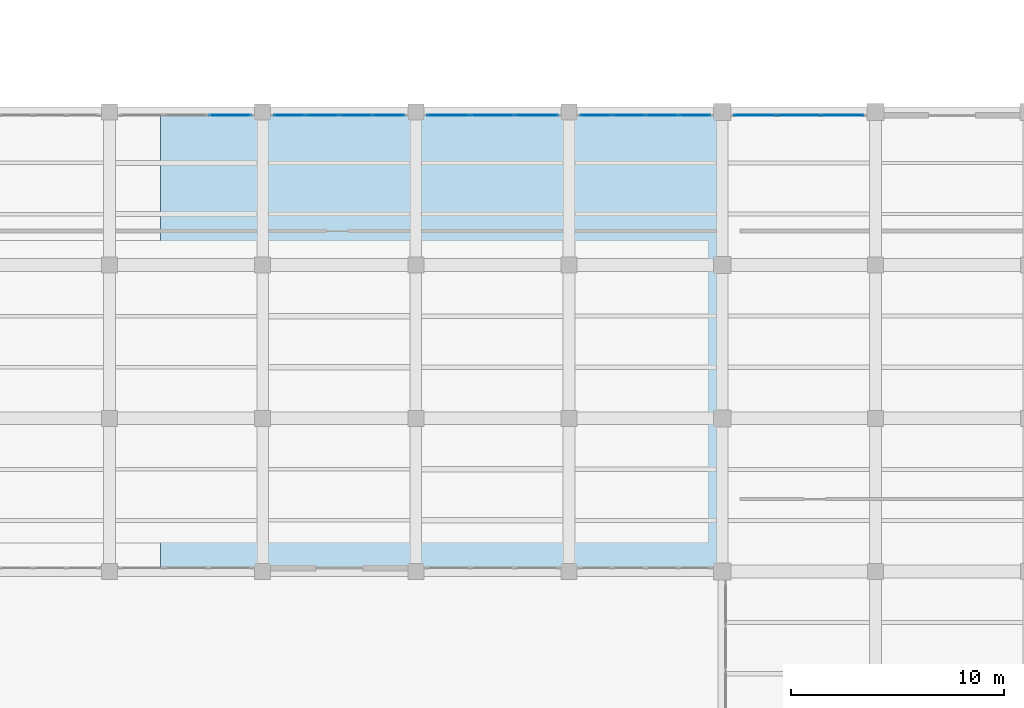
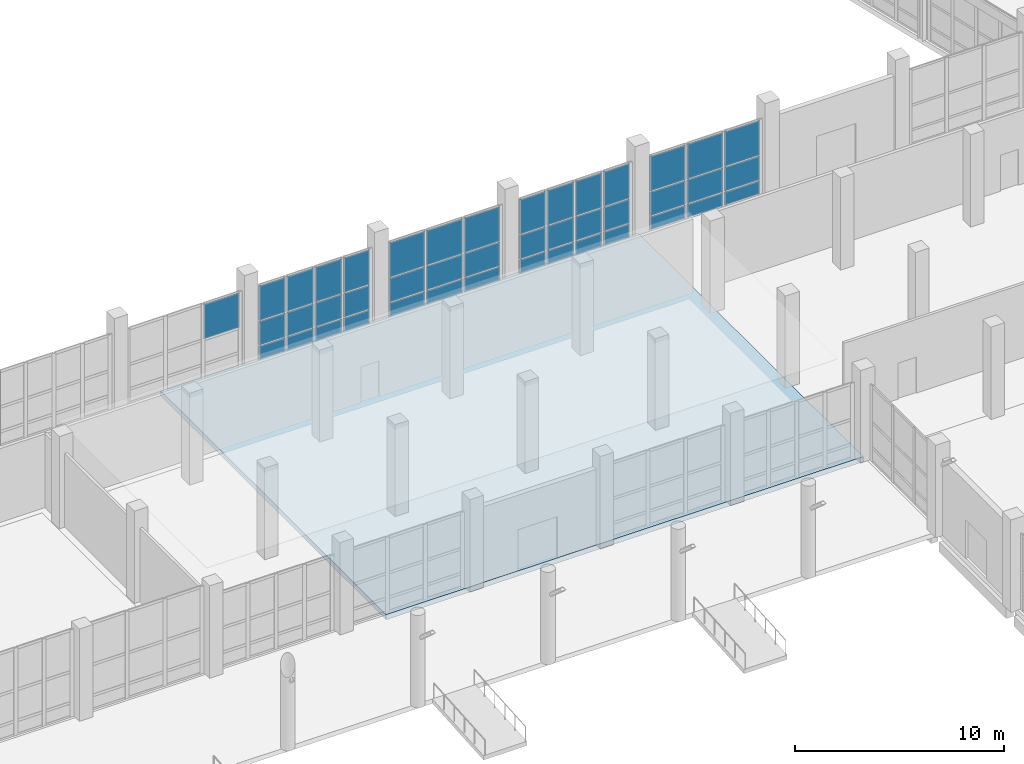
# One storey, part 89 of 137: 43 plates, 1 slab, 5 elements without a shape of their own.
"""IFC4 building model written with IfcOpenShell, lengths in metres."""

from ifc_helpers import new_model, si_unit, direction, frame, origin, origin_2d, place, context, subcontext, project, spatial, polyline, rectangle, outline, extrude, material, layer, layer_set, type_object, element, aggregate, save


model = new_model("IFC4")

# Units and contexts
model_context = context("Model", 3, precision=1e-05, world=origin(), true_north=direction((0.0, 1.0)))
body_context = subcontext(model_context, "Body", "Model", "MODEL_VIEW")
ifc_project = project(units=[si_unit("LENGTHUNIT", "METRE"), si_unit("AREAUNIT", "SQUARE_METRE"), si_unit("VOLUMEUNIT", "CUBIC_METRE"), si_unit("PLANEANGLEUNIT", "RADIAN"), si_unit("MASSUNIT", "GRAM", prefix="KILO")], contexts=[model_context])

# Site, building, storey
site_placement = place(None, origin())
site = spatial("IfcSite", under=ifc_project, at=site_placement, CompositionType="ELEMENT")
building_placement = place(site_placement, origin())
building = spatial("IfcBuilding", under=site, at=building_placement, Name="Kalmorath City Hall", CompositionType="ELEMENT")
storey_placement = place(building_placement, origin())
storey = spatial("IfcBuildingStorey", under=building, at=storey_placement, Name="L00", CompositionType="ELEMENT", Elevation=0.0)

# Slab
ifc_material_1 = material(Name="Concrete C40/50", Category="concrete")
ifc_layer_1 = layer(ifc_material_1, 0.300048828125)
ifc_layer_set_1 = layer_set([ifc_layer_1], Name="Concrete C40/50")
slab_type = type_object("IfcSlabType", Name="Concrete ground floor slab 300", PredefinedType="FLOOR", material=ifc_layer_set_1)
slab_placement = place(storey_placement, frame((0.0, 0.0, -0.300048828125)))
element("IfcSlab", 1, at=slab_placement, inside=storey, type_object=slab_type, Name="L00 Public Hall and Citizens Service Centre Pavilion slab FS1-3", PredefinedType="FLOOR", context=body_context, shape_type="SweptSolid", body=[
    extrude(outline(polyline([(115.199951171875, 43.199951171875), (115.199951171875, 21.60009765625), (88.800048828125, 21.60009765625), (88.800048828125, 43.199951171875), (115.199951171875, 43.199951171875)])), origin(), (0.0, 0.0, 1.0), 0.300048828125),
])

# Curtain wall, plate
ifc_material_2 = material(Name="Anodised aluminium and laminated glass", Category="aluminium")
curtain_wall_type_1 = type_object("IfcCurtainWallType", Name="Unitised hurricane curtain wall 6270x4411 M2100", PredefinedType="NOTDEFINED", material=ifc_material_2)
curtain_wall_1_placement = place(storey_placement, origin())
curtain_wall_1 = element("IfcCurtainWall", 2, at=curtain_wall_1_placement, inside=storey, type_object=curtain_wall_type_1, Name="L00 curtain wall CW-63X44M21 #35", PredefinedType="NOTDEFINED")
ifc_material_3 = material(Name="Hurricane laminated low-E glass", Category="glass")
ifc_layer_2 = layer(ifc_material_3, 0.0400390625)
ifc_layer_set_2 = layer_set([ifc_layer_2], Name="Hurricane laminated low-E glass")
plate_type = type_object("IfcPlateType", Name="Public hall laminated glass panel 40", PredefinedType="CURTAIN_PANEL", material=ifc_layer_set_2)
plate_1_placement = place(storey_placement, frame((92.0712890625, 43.0400390625, 2.326416015625), z_axis=(0.0, 0.0, 1.0), x_axis=(1.0, 0.0, 0.0)))
plate_1 = element("IfcPlate", 3, at=plate_1_placement, type_object=plate_type, Name="CW-63X44M21 panel 3.3", PredefinedType="CURTAIN_PANEL", context=body_context, shape_type="SweptSolid", body=[
    extrude(rectangle(XDim=1.9775390625, YDim=0.0400390625, at=origin_2d()), origin(), (0.0, 0.0, 1.0), 2.01953125),
])
aggregate(curtain_wall_1, [plate_1])

# Curtain wall, plates
ifc_material_4 = material(Name="Anodised aluminium and laminated glass", Category="aluminium")
curtain_wall_type_2 = type_object("IfcCurtainWallType", Name="Unitised hurricane curtain wall 6270x4411 M1500", PredefinedType="NOTDEFINED", material=ifc_material_4)
curtain_wall_2_placement = place(storey_placement, origin())
curtain_wall_2 = element("IfcCurtainWall", 4, at=curtain_wall_2_placement, inside=storey, type_object=curtain_wall_type_2, Name="L00 curtain wall CW-63X44M15 #36", PredefinedType="NOTDEFINED")
plate_2_placement = place(storey_placement, frame((94.867431640625, 43.0400390625, 0.06494140625), z_axis=(0.0, 0.0, 1.0), x_axis=(1.0, 0.0, 0.0)))
plate_2 = element("IfcPlate", 5, at=plate_2_placement, type_object=plate_type, Name="CW-63X44M15 panel 1.1", PredefinedType="CURTAIN_PANEL", context=body_context, shape_type="SweptSolid", body=[
    extrude(rectangle(XDim=1.455078125, YDim=0.0400390625, at=origin_2d()), origin(), (0.0, 0.0, 1.0), 0.75244140625),
])
plate_3_placement = place(storey_placement, frame((94.867431640625, 43.0400390625, 0.882568359375), z_axis=(0.0, 0.0, 1.0), x_axis=(1.0, 0.0, 0.0)))
plate_3 = element("IfcPlate", 6, at=plate_3_placement, type_object=plate_type, Name="CW-63X44M15 panel 1.2", PredefinedType="CURTAIN_PANEL", context=body_context, shape_type="SweptSolid", body=[
    extrude(rectangle(XDim=1.455078125, YDim=0.0400390625, at=origin_2d()), origin(), (0.0, 0.0, 1.0), 1.37890625),
])
plate_4_placement = place(storey_placement, frame((94.867431640625, 43.0400390625, 2.326416015625), z_axis=(0.0, 0.0, 1.0), x_axis=(1.0, 0.0, 0.0)))
plate_4 = element("IfcPlate", 7, at=plate_4_placement, type_object=plate_type, Name="CW-63X44M15 panel 1.3", PredefinedType="CURTAIN_PANEL", context=body_context, shape_type="SweptSolid", body=[
    extrude(rectangle(XDim=1.455078125, YDim=0.0400390625, at=origin_2d()), origin(), (0.0, 0.0, 1.0), 2.01953125),
])
plate_5_placement = place(storey_placement, frame((96.416259765625, 43.0400390625, 0.06494140625), z_axis=(0.0, 0.0, 1.0), x_axis=(1.0, 0.0, 0.0)))
plate_5 = element("IfcPlate", 8, at=plate_5_placement, type_object=plate_type, Name="CW-63X44M15 panel 2.1", PredefinedType="CURTAIN_PANEL", context=body_context, shape_type="SweptSolid", body=[
    extrude(rectangle(XDim=1.492431640625, YDim=0.0400390625, at=origin_2d()), origin(), (0.0, 0.0, 1.0), 0.75244140625),
])
plate_6_placement = place(storey_placement, frame((96.416259765625, 43.0400390625, 0.882568359375), z_axis=(0.0, 0.0, 1.0), x_axis=(1.0, 0.0, 0.0)))
plate_6 = element("IfcPlate", 9, at=plate_6_placement, type_object=plate_type, Name="CW-63X44M15 panel 2.2", PredefinedType="CURTAIN_PANEL", context=body_context, shape_type="SweptSolid", body=[
    extrude(rectangle(XDim=1.492431640625, YDim=0.0400390625, at=origin_2d()), origin(), (0.0, 0.0, 1.0), 1.37890625),
])
plate_7_placement = place(storey_placement, frame((96.416259765625, 43.0400390625, 2.326416015625), z_axis=(0.0, 0.0, 1.0), x_axis=(1.0, 0.0, 0.0)))
plate_7 = element("IfcPlate", 10, at=plate_7_placement, type_object=plate_type, Name="CW-63X44M15 panel 2.3", PredefinedType="CURTAIN_PANEL", context=body_context, shape_type="SweptSolid", body=[
    extrude(rectangle(XDim=1.492431640625, YDim=0.0400390625, at=origin_2d()), origin(), (0.0, 0.0, 1.0), 2.01953125),
])
plate_8_placement = place(storey_placement, frame((97.983642578125, 43.0400390625, 0.06494140625), z_axis=(0.0, 0.0, 1.0), x_axis=(1.0, 0.0, 0.0)))
plate_8 = element("IfcPlate", 11, at=plate_8_placement, type_object=plate_type, Name="CW-63X44M15 panel 3.1", PredefinedType="CURTAIN_PANEL", context=body_context, shape_type="SweptSolid", body=[
    extrude(rectangle(XDim=1.492431640625, YDim=0.0400390625, at=origin_2d()), origin(), (0.0, 0.0, 1.0), 0.75244140625),
])
plate_9_placement = place(storey_placement, frame((97.983642578125, 43.0400390625, 0.882568359375), z_axis=(0.0, 0.0, 1.0), x_axis=(1.0, 0.0, 0.0)))
plate_9 = element("IfcPlate", 12, at=plate_9_placement, type_object=plate_type, Name="CW-63X44M15 panel 3.2", PredefinedType="CURTAIN_PANEL", context=body_context, shape_type="SweptSolid", body=[
    extrude(rectangle(XDim=1.492431640625, YDim=0.0400390625, at=origin_2d()), origin(), (0.0, 0.0, 1.0), 1.37890625),
])
plate_10_placement = place(storey_placement, frame((97.983642578125, 43.0400390625, 2.326416015625), z_axis=(0.0, 0.0, 1.0), x_axis=(1.0, 0.0, 0.0)))
plate_10 = element("IfcPlate", 13, at=plate_10_placement, type_object=plate_type, Name="CW-63X44M15 panel 3.3", PredefinedType="CURTAIN_PANEL", context=body_context, shape_type="SweptSolid", body=[
    extrude(rectangle(XDim=1.492431640625, YDim=0.0400390625, at=origin_2d()), origin(), (0.0, 0.0, 1.0), 2.01953125),
])
plate_11_placement = place(storey_placement, frame((99.532470703125, 43.0400390625, 0.06494140625), z_axis=(0.0, 0.0, 1.0), x_axis=(1.0, 0.0, 0.0)))
plate_11 = element("IfcPlate", 14, at=plate_11_placement, type_object=plate_type, Name="CW-63X44M15 panel 4.1", PredefinedType="CURTAIN_PANEL", context=body_context, shape_type="SweptSolid", body=[
    extrude(rectangle(XDim=1.455078125, YDim=0.0400390625, at=origin_2d()), origin(), (0.0, 0.0, 1.0), 0.75244140625),
])
plate_12_placement = place(storey_placement, frame((99.532470703125, 43.0400390625, 0.882568359375), z_axis=(0.0, 0.0, 1.0), x_axis=(1.0, 0.0, 0.0)))
plate_12 = element("IfcPlate", 15, at=plate_12_placement, type_object=plate_type, Name="CW-63X44M15 panel 4.2", PredefinedType="CURTAIN_PANEL", context=body_context, shape_type="SweptSolid", body=[
    extrude(rectangle(XDim=1.455078125, YDim=0.0400390625, at=origin_2d()), origin(), (0.0, 0.0, 1.0), 1.37890625),
])
plate_13_placement = place(storey_placement, frame((99.532470703125, 43.0400390625, 2.326416015625), z_axis=(0.0, 0.0, 1.0), x_axis=(1.0, 0.0, 0.0)))
plate_13 = element("IfcPlate", 16, at=plate_13_placement, type_object=plate_type, Name="CW-63X44M15 panel 4.3", PredefinedType="CURTAIN_PANEL", context=body_context, shape_type="SweptSolid", body=[
    extrude(rectangle(XDim=1.455078125, YDim=0.0400390625, at=origin_2d()), origin(), (0.0, 0.0, 1.0), 2.01953125),
])
aggregate(curtain_wall_2, [plate_2, plate_3, plate_4, plate_5, plate_6, plate_7, plate_8, plate_9, plate_10, plate_11, plate_12, plate_13])

ifc_material_5 = material(Name="Anodised aluminium and laminated glass", Category="aluminium")
curtain_wall_type_3 = type_object("IfcCurtainWallType", Name="Unitised hurricane curtain wall 6270x4411 M1800", PredefinedType="NOTDEFINED", material=ifc_material_5)
curtain_wall_3_placement = place(storey_placement, origin())
curtain_wall_3 = element("IfcCurtainWall", 17, at=curtain_wall_3_placement, inside=storey, type_object=curtain_wall_type_3, Name="L00 curtain wall CW-63X44M18 #37", PredefinedType="NOTDEFINED")
plate_14_placement = place(storey_placement, frame((102.328857421875, 43.0400390625, 0.06494140625), z_axis=(0.0, 0.0, 1.0), x_axis=(1.0, 0.0, 0.0)))
plate_14 = element("IfcPlate", 18, at=plate_14_placement, type_object=plate_type, Name="CW-63X44M18 panel 1.1", PredefinedType="CURTAIN_PANEL", context=body_context, shape_type="SweptSolid", body=[
    extrude(rectangle(XDim=1.9775390625, YDim=0.0400390625, at=origin_2d()), origin(), (0.0, 0.0, 1.0), 0.75244140625),
])
plate_15_placement = place(storey_placement, frame((102.328857421875, 43.0400390625, 0.882568359375), z_axis=(0.0, 0.0, 1.0), x_axis=(1.0, 0.0, 0.0)))
plate_15 = element("IfcPlate", 19, at=plate_15_placement, type_object=plate_type, Name="CW-63X44M18 panel 1.2", PredefinedType="CURTAIN_PANEL", context=body_context, shape_type="SweptSolid", body=[
    extrude(rectangle(XDim=1.9775390625, YDim=0.0400390625, at=origin_2d()), origin(), (0.0, 0.0, 1.0), 1.37890625),
])
plate_16_placement = place(storey_placement, frame((102.328857421875, 43.0400390625, 2.326416015625), z_axis=(0.0, 0.0, 1.0), x_axis=(1.0, 0.0, 0.0)))
plate_16 = element("IfcPlate", 20, at=plate_16_placement, type_object=plate_type, Name="CW-63X44M18 panel 1.3", PredefinedType="CURTAIN_PANEL", context=body_context, shape_type="SweptSolid", body=[
    extrude(rectangle(XDim=1.9775390625, YDim=0.0400390625, at=origin_2d()), origin(), (0.0, 0.0, 1.0), 2.01953125),
])
plate_17_placement = place(storey_placement, frame((104.39990234375, 43.0400390625, 0.06494140625), z_axis=(0.0, 0.0, 1.0), x_axis=(1.0, 0.0, 0.0)))
plate_17 = element("IfcPlate", 21, at=plate_17_placement, type_object=plate_type, Name="CW-63X44M18 panel 2.1", PredefinedType="CURTAIN_PANEL", context=body_context, shape_type="SweptSolid", body=[
    extrude(rectangle(XDim=2.014892578125, YDim=0.0400390625, at=origin_2d()), origin(), (0.0, 0.0, 1.0), 0.75244140625),
])
plate_18_placement = place(storey_placement, frame((104.39990234375, 43.0400390625, 0.882568359375), z_axis=(0.0, 0.0, 1.0), x_axis=(1.0, 0.0, 0.0)))
plate_18 = element("IfcPlate", 22, at=plate_18_placement, type_object=plate_type, Name="CW-63X44M18 panel 2.2", PredefinedType="CURTAIN_PANEL", context=body_context, shape_type="SweptSolid", body=[
    extrude(rectangle(XDim=2.014892578125, YDim=0.0400390625, at=origin_2d()), origin(), (0.0, 0.0, 1.0), 1.37890625),
])
plate_19_placement = place(storey_placement, frame((104.39990234375, 43.0400390625, 2.326416015625), z_axis=(0.0, 0.0, 1.0), x_axis=(1.0, 0.0, 0.0)))
plate_19 = element("IfcPlate", 23, at=plate_19_placement, type_object=plate_type, Name="CW-63X44M18 panel 2.3", PredefinedType="CURTAIN_PANEL", context=body_context, shape_type="SweptSolid", body=[
    extrude(rectangle(XDim=2.014892578125, YDim=0.0400390625, at=origin_2d()), origin(), (0.0, 0.0, 1.0), 2.01953125),
])
plate_20_placement = place(storey_placement, frame((106.47119140625, 43.0400390625, 0.06494140625), z_axis=(0.0, 0.0, 1.0), x_axis=(1.0, 0.0, 0.0)))
plate_20 = element("IfcPlate", 24, at=plate_20_placement, type_object=plate_type, Name="CW-63X44M18 panel 3.1", PredefinedType="CURTAIN_PANEL", context=body_context, shape_type="SweptSolid", body=[
    extrude(rectangle(XDim=1.9775390625, YDim=0.0400390625, at=origin_2d()), origin(), (0.0, 0.0, 1.0), 0.75244140625),
])
plate_21_placement = place(storey_placement, frame((106.47119140625, 43.0400390625, 0.882568359375), z_axis=(0.0, 0.0, 1.0), x_axis=(1.0, 0.0, 0.0)))
plate_21 = element("IfcPlate", 25, at=plate_21_placement, type_object=plate_type, Name="CW-63X44M18 panel 3.2", PredefinedType="CURTAIN_PANEL", context=body_context, shape_type="SweptSolid", body=[
    extrude(rectangle(XDim=1.9775390625, YDim=0.0400390625, at=origin_2d()), origin(), (0.0, 0.0, 1.0), 1.37890625),
])
plate_22_placement = place(storey_placement, frame((106.47119140625, 43.0400390625, 2.326416015625), z_axis=(0.0, 0.0, 1.0), x_axis=(1.0, 0.0, 0.0)))
plate_22 = element("IfcPlate", 26, at=plate_22_placement, type_object=plate_type, Name="CW-63X44M18 panel 3.3", PredefinedType="CURTAIN_PANEL", context=body_context, shape_type="SweptSolid", body=[
    extrude(rectangle(XDim=1.9775390625, YDim=0.0400390625, at=origin_2d()), origin(), (0.0, 0.0, 1.0), 2.01953125),
])
aggregate(curtain_wall_3, [plate_14, plate_15, plate_16, plate_17, plate_18, plate_19, plate_20, plate_21, plate_22])

ifc_material_6 = material(Name="Anodised aluminium and laminated glass", Category="aluminium")
curtain_wall_type_4 = type_object("IfcCurtainWallType", Name="Unitised hurricane curtain wall 6245x4411 M1500", PredefinedType="NOTDEFINED", material=ifc_material_6)
curtain_wall_4_placement = place(storey_placement, origin())
curtain_wall_4 = element("IfcCurtainWall", 27, at=curtain_wall_4_placement, inside=storey, type_object=curtain_wall_type_4, Name="L00 curtain wall CW-62X44M15 #38", PredefinedType="NOTDEFINED")
plate_23_placement = place(storey_placement, frame((109.264404296875, 43.0400390625, 0.06494140625), z_axis=(0.0, 0.0, 1.0), x_axis=(1.0, 0.0, 0.0)))
plate_23 = element("IfcPlate", 28, at=plate_23_placement, type_object=plate_type, Name="CW-62X44M15 panel 1.1", PredefinedType="CURTAIN_PANEL", context=body_context, shape_type="SweptSolid", body=[
    extrude(rectangle(XDim=1.44873046875, YDim=0.0400390625, at=origin_2d()), origin(), (0.0, 0.0, 1.0), 0.75244140625),
])
plate_24_placement = place(storey_placement, frame((109.264404296875, 43.0400390625, 0.882568359375), z_axis=(0.0, 0.0, 1.0), x_axis=(1.0, 0.0, 0.0)))
plate_24 = element("IfcPlate", 29, at=plate_24_placement, type_object=plate_type, Name="CW-62X44M15 panel 1.2", PredefinedType="CURTAIN_PANEL", context=body_context, shape_type="SweptSolid", body=[
    extrude(rectangle(XDim=1.44873046875, YDim=0.0400390625, at=origin_2d()), origin(), (0.0, 0.0, 1.0), 1.37890625),
])
plate_25_placement = place(storey_placement, frame((109.264404296875, 43.0400390625, 2.326416015625), z_axis=(0.0, 0.0, 1.0), x_axis=(1.0, 0.0, 0.0)))
plate_25 = element("IfcPlate", 30, at=plate_25_placement, type_object=plate_type, Name="CW-62X44M15 panel 1.3", PredefinedType="CURTAIN_PANEL", context=body_context, shape_type="SweptSolid", body=[
    extrude(rectangle(XDim=1.44873046875, YDim=0.0400390625, at=origin_2d()), origin(), (0.0, 0.0, 1.0), 2.01953125),
])
plate_26_placement = place(storey_placement, frame((110.806884765625, 43.0400390625, 0.06494140625), z_axis=(0.0, 0.0, 1.0), x_axis=(1.0, 0.0, 0.0)))
plate_26 = element("IfcPlate", 31, at=plate_26_placement, type_object=plate_type, Name="CW-62X44M15 panel 2.1", PredefinedType="CURTAIN_PANEL", context=body_context, shape_type="SweptSolid", body=[
    extrude(rectangle(XDim=1.486328125, YDim=0.0400390625, at=origin_2d()), origin(), (0.0, 0.0, 1.0), 0.75244140625),
])
plate_27_placement = place(storey_placement, frame((110.806884765625, 43.0400390625, 0.882568359375), z_axis=(0.0, 0.0, 1.0), x_axis=(1.0, 0.0, 0.0)))
plate_27 = element("IfcPlate", 32, at=plate_27_placement, type_object=plate_type, Name="CW-62X44M15 panel 2.2", PredefinedType="CURTAIN_PANEL", context=body_context, shape_type="SweptSolid", body=[
    extrude(rectangle(XDim=1.486328125, YDim=0.0400390625, at=origin_2d()), origin(), (0.0, 0.0, 1.0), 1.37890625),
])
plate_28_placement = place(storey_placement, frame((110.806884765625, 43.0400390625, 2.326416015625), z_axis=(0.0, 0.0, 1.0), x_axis=(1.0, 0.0, 0.0)))
plate_28 = element("IfcPlate", 33, at=plate_28_placement, type_object=plate_type, Name="CW-62X44M15 panel 2.3", PredefinedType="CURTAIN_PANEL", context=body_context, shape_type="SweptSolid", body=[
    extrude(rectangle(XDim=1.486328125, YDim=0.0400390625, at=origin_2d()), origin(), (0.0, 0.0, 1.0), 2.01953125),
])
plate_29_placement = place(storey_placement, frame((112.3681640625, 43.0400390625, 0.06494140625), z_axis=(0.0, 0.0, 1.0), x_axis=(1.0, 0.0, 0.0)))
plate_29 = element("IfcPlate", 34, at=plate_29_placement, type_object=plate_type, Name="CW-62X44M15 panel 3.1", PredefinedType="CURTAIN_PANEL", context=body_context, shape_type="SweptSolid", body=[
    extrude(rectangle(XDim=1.486328125, YDim=0.0400390625, at=origin_2d()), origin(), (0.0, 0.0, 1.0), 0.75244140625),
])
plate_30_placement = place(storey_placement, frame((112.3681640625, 43.0400390625, 0.882568359375), z_axis=(0.0, 0.0, 1.0), x_axis=(1.0, 0.0, 0.0)))
plate_30 = element("IfcPlate", 35, at=plate_30_placement, type_object=plate_type, Name="CW-62X44M15 panel 3.2", PredefinedType="CURTAIN_PANEL", context=body_context, shape_type="SweptSolid", body=[
    extrude(rectangle(XDim=1.486328125, YDim=0.0400390625, at=origin_2d()), origin(), (0.0, 0.0, 1.0), 1.37890625),
])
plate_31_placement = place(storey_placement, frame((112.3681640625, 43.0400390625, 2.326416015625), z_axis=(0.0, 0.0, 1.0), x_axis=(1.0, 0.0, 0.0)))
plate_31 = element("IfcPlate", 36, at=plate_31_placement, type_object=plate_type, Name="CW-62X44M15 panel 3.3", PredefinedType="CURTAIN_PANEL", context=body_context, shape_type="SweptSolid", body=[
    extrude(rectangle(XDim=1.486328125, YDim=0.0400390625, at=origin_2d()), origin(), (0.0, 0.0, 1.0), 2.01953125),
])
plate_32_placement = place(storey_placement, frame((113.91064453125, 43.0400390625, 0.06494140625), z_axis=(0.0, 0.0, 1.0), x_axis=(1.0, 0.0, 0.0)))
plate_32 = element("IfcPlate", 37, at=plate_32_placement, type_object=plate_type, Name="CW-62X44M15 panel 4.1", PredefinedType="CURTAIN_PANEL", context=body_context, shape_type="SweptSolid", body=[
    extrude(rectangle(XDim=1.44873046875, YDim=0.0400390625, at=origin_2d()), origin(), (0.0, 0.0, 1.0), 0.75244140625),
])
plate_33_placement = place(storey_placement, frame((113.91064453125, 43.0400390625, 0.882568359375), z_axis=(0.0, 0.0, 1.0), x_axis=(1.0, 0.0, 0.0)))
plate_33 = element("IfcPlate", 38, at=plate_33_placement, type_object=plate_type, Name="CW-62X44M15 panel 4.2", PredefinedType="CURTAIN_PANEL", context=body_context, shape_type="SweptSolid", body=[
    extrude(rectangle(XDim=1.44873046875, YDim=0.0400390625, at=origin_2d()), origin(), (0.0, 0.0, 1.0), 1.37890625),
])
plate_34_placement = place(storey_placement, frame((113.91064453125, 43.0400390625, 2.326416015625), z_axis=(0.0, 0.0, 1.0), x_axis=(1.0, 0.0, 0.0)))
plate_34 = element("IfcPlate", 39, at=plate_34_placement, type_object=plate_type, Name="CW-62X44M15 panel 4.3", PredefinedType="CURTAIN_PANEL", context=body_context, shape_type="SweptSolid", body=[
    extrude(rectangle(XDim=1.44873046875, YDim=0.0400390625, at=origin_2d()), origin(), (0.0, 0.0, 1.0), 2.01953125),
])
aggregate(curtain_wall_4, [plate_23, plate_24, plate_25, plate_26, plate_27, plate_28, plate_29, plate_30, plate_31, plate_32, plate_33, plate_34])

ifc_material_7 = material(Name="Anodised aluminium and laminated glass", Category="aluminium")
curtain_wall_type_5 = type_object("IfcCurtainWallType", Name="Unitised hurricane curtain wall 6220x4411 M1800", PredefinedType="NOTDEFINED", material=ifc_material_7)
curtain_wall_5_placement = place(storey_placement, origin())
curtain_wall_5 = element("IfcCurtainWall", 40, at=curtain_wall_5_placement, inside=storey, type_object=curtain_wall_type_5, Name="L00 curtain wall CW-62X44M18 #39", PredefinedType="NOTDEFINED")
plate_35_placement = place(storey_placement, frame((116.745361328125, 43.0400390625, 0.06494140625), z_axis=(0.0, 0.0, 1.0), x_axis=(1.0, 0.0, 0.0)))
plate_35 = element("IfcPlate", 41, at=plate_35_placement, type_object=plate_type, Name="CW-62X44M18 panel 1.1", PredefinedType="CURTAIN_PANEL", context=body_context, shape_type="SweptSolid", body=[
    extrude(rectangle(XDim=1.9609375, YDim=0.0400390625, at=origin_2d()), origin(), (0.0, 0.0, 1.0), 0.75244140625),
])
plate_36_placement = place(storey_placement, frame((116.745361328125, 43.0400390625, 0.882568359375), z_axis=(0.0, 0.0, 1.0), x_axis=(1.0, 0.0, 0.0)))
plate_36 = element("IfcPlate", 42, at=plate_36_placement, type_object=plate_type, Name="CW-62X44M18 panel 1.2", PredefinedType="CURTAIN_PANEL", context=body_context, shape_type="SweptSolid", body=[
    extrude(rectangle(XDim=1.9609375, YDim=0.0400390625, at=origin_2d()), origin(), (0.0, 0.0, 1.0), 1.37890625),
])
plate_37_placement = place(storey_placement, frame((116.745361328125, 43.0400390625, 2.326416015625), z_axis=(0.0, 0.0, 1.0), x_axis=(1.0, 0.0, 0.0)))
plate_37 = element("IfcPlate", 43, at=plate_37_placement, type_object=plate_type, Name="CW-62X44M18 panel 1.3", PredefinedType="CURTAIN_PANEL", context=body_context, shape_type="SweptSolid", body=[
    extrude(rectangle(XDim=1.9609375, YDim=0.0400390625, at=origin_2d()), origin(), (0.0, 0.0, 1.0), 2.01953125),
])
plate_38_placement = place(storey_placement, frame((118.800048828125, 43.0400390625, 0.06494140625), z_axis=(0.0, 0.0, 1.0), x_axis=(1.0, 0.0, 0.0)))
plate_38 = element("IfcPlate", 44, at=plate_38_placement, type_object=plate_type, Name="CW-62X44M18 panel 2.1", PredefinedType="CURTAIN_PANEL", context=body_context, shape_type="SweptSolid", body=[
    extrude(rectangle(XDim=1.998291015625, YDim=0.0400390625, at=origin_2d()), origin(), (0.0, 0.0, 1.0), 0.75244140625),
])
plate_39_placement = place(storey_placement, frame((118.800048828125, 43.0400390625, 0.882568359375), z_axis=(0.0, 0.0, 1.0), x_axis=(1.0, 0.0, 0.0)))
plate_39 = element("IfcPlate", 45, at=plate_39_placement, type_object=plate_type, Name="CW-62X44M18 panel 2.2", PredefinedType="CURTAIN_PANEL", context=body_context, shape_type="SweptSolid", body=[
    extrude(rectangle(XDim=1.998291015625, YDim=0.0400390625, at=origin_2d()), origin(), (0.0, 0.0, 1.0), 1.37890625),
])
plate_40_placement = place(storey_placement, frame((118.800048828125, 43.0400390625, 2.326416015625), z_axis=(0.0, 0.0, 1.0), x_axis=(1.0, 0.0, 0.0)))
plate_40 = element("IfcPlate", 46, at=plate_40_placement, type_object=plate_type, Name="CW-62X44M18 panel 2.3", PredefinedType="CURTAIN_PANEL", context=body_context, shape_type="SweptSolid", body=[
    extrude(rectangle(XDim=1.998291015625, YDim=0.0400390625, at=origin_2d()), origin(), (0.0, 0.0, 1.0), 2.01953125),
])
plate_41_placement = place(storey_placement, frame((120.8544921875, 43.0400390625, 0.06494140625), z_axis=(0.0, 0.0, 1.0), x_axis=(1.0, 0.0, 0.0)))
plate_41 = element("IfcPlate", 47, at=plate_41_placement, type_object=plate_type, Name="CW-62X44M18 panel 3.1", PredefinedType="CURTAIN_PANEL", context=body_context, shape_type="SweptSolid", body=[
    extrude(rectangle(XDim=1.9609375, YDim=0.0400390625, at=origin_2d()), origin(), (0.0, 0.0, 1.0), 0.75244140625),
])
plate_42_placement = place(storey_placement, frame((120.8544921875, 43.0400390625, 0.882568359375), z_axis=(0.0, 0.0, 1.0), x_axis=(1.0, 0.0, 0.0)))
plate_42 = element("IfcPlate", 48, at=plate_42_placement, type_object=plate_type, Name="CW-62X44M18 panel 3.2", PredefinedType="CURTAIN_PANEL", context=body_context, shape_type="SweptSolid", body=[
    extrude(rectangle(XDim=1.9609375, YDim=0.0400390625, at=origin_2d()), origin(), (0.0, 0.0, 1.0), 1.37890625),
])
plate_43_placement = place(storey_placement, frame((120.8544921875, 43.0400390625, 2.326416015625), z_axis=(0.0, 0.0, 1.0), x_axis=(1.0, 0.0, 0.0)))
plate_43 = element("IfcPlate", 49, at=plate_43_placement, type_object=plate_type, Name="CW-62X44M18 panel 3.3", PredefinedType="CURTAIN_PANEL", context=body_context, shape_type="SweptSolid", body=[
    extrude(rectangle(XDim=1.9609375, YDim=0.0400390625, at=origin_2d()), origin(), (0.0, 0.0, 1.0), 2.01953125),
])
aggregate(curtain_wall_5, [plate_35, plate_36, plate_37, plate_38, plate_39, plate_40, plate_41, plate_42, plate_43])

save(model, "model.ifc")
